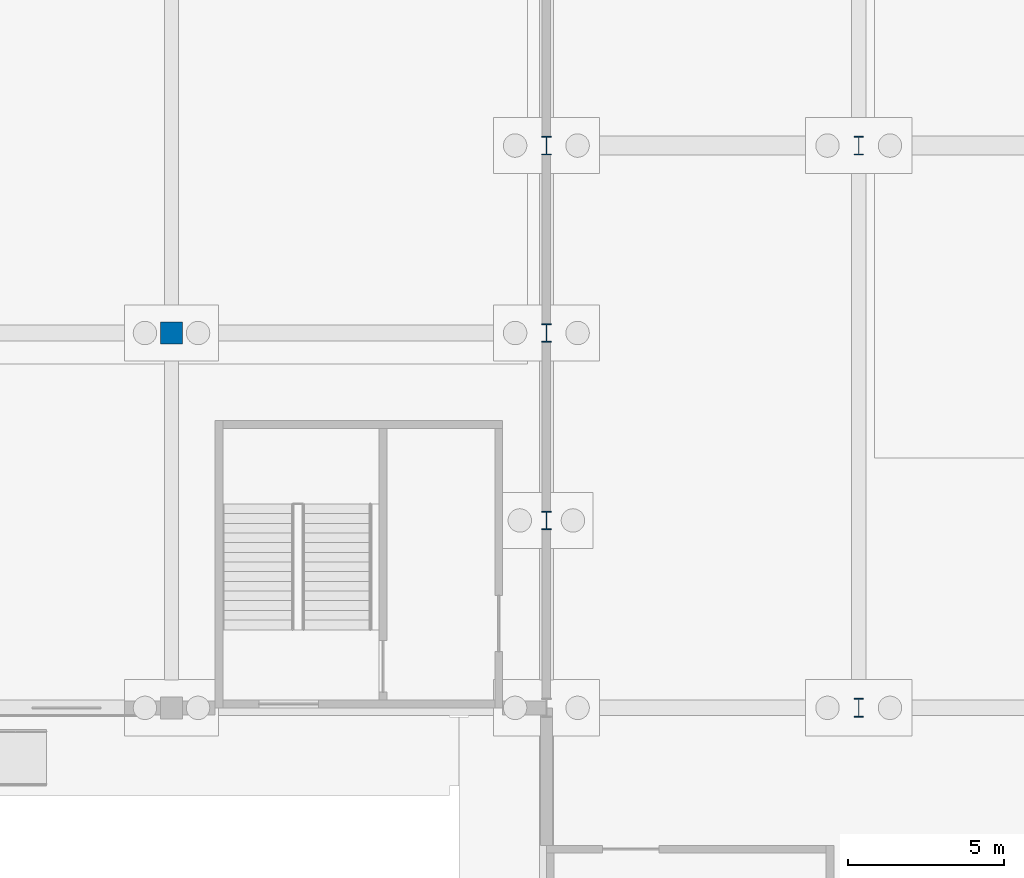
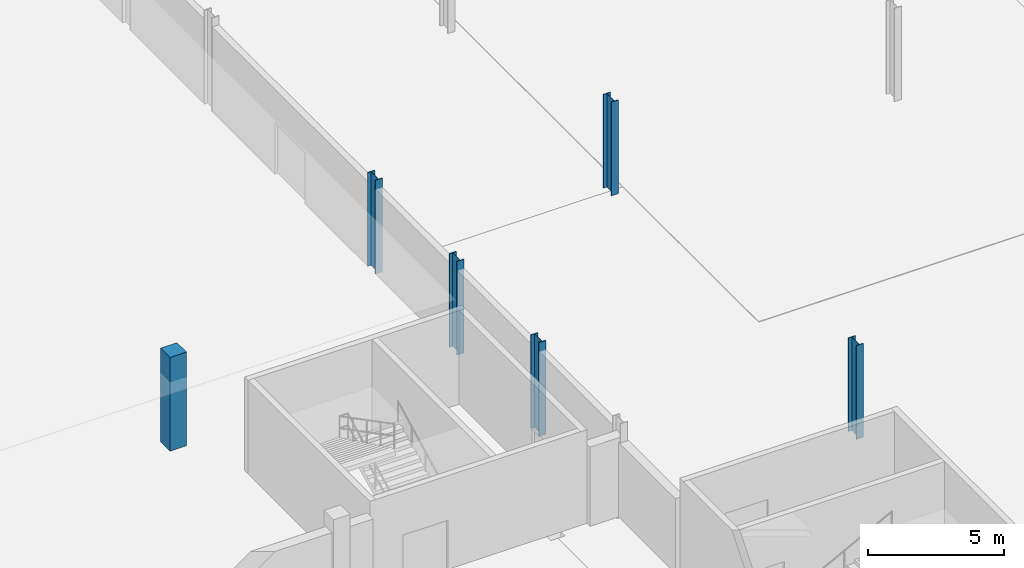
# One storey, part 12 of 77: 6 columns.
"""IFC4 building model written with IfcOpenShell, lengths in metres."""

from ifc_helpers import new_model, si_unit, direction, frame, origin, origin_2d, place, context, subcontext, project, spatial, rectangle, i_section, extrude, material, material_profile, profile_set, type_object, element, save


model = new_model("IFC4")

# Units and contexts
model_context = context("Model", 3, precision=1e-05, world=origin(), true_north=direction((0.0, 1.0)))
body_context = subcontext(model_context, "Body", "Model", "MODEL_VIEW")
ifc_project = project(units=[si_unit("LENGTHUNIT", "METRE"), si_unit("AREAUNIT", "SQUARE_METRE"), si_unit("VOLUMEUNIT", "CUBIC_METRE"), si_unit("PLANEANGLEUNIT", "RADIAN"), si_unit("MASSUNIT", "GRAM", prefix="KILO")], contexts=[model_context])

# Site, building, storey
site_placement = place(None, origin())
site = spatial("IfcSite", under=ifc_project, at=site_placement, CompositionType="ELEMENT")
building_placement = place(site_placement, origin())
building = spatial("IfcBuilding", under=site, at=building_placement, Name="Zilviju Railside Exhibition Hall", CompositionType="ELEMENT")
storey_placement = place(building_placement, origin())
storey = spatial("IfcBuildingStorey", under=building, at=storey_placement, Name="L01", CompositionType="ELEMENT", Elevation=0.0)

# Columns
ifc_material_1 = material(Name="Concrete C35/45", Category="concrete")
ifc_material_profile_1 = material_profile(ifc_material_1, rectangle(XDim=0.699951171875, YDim=0.699951171875, at=origin_2d()), Name="RC COL 700x700")
ifc_profile_set_1 = profile_set([ifc_material_profile_1], Name="Concrete C35/45")
column_type_1 = type_object("IfcColumnType", Name="COL-RC-700", PredefinedType="COLUMN", material=ifc_profile_set_1)
column_placement = place(storey_placement, frame((36.0, 48.0, 0.0), z_axis=(0.0, 0.0, 1.0), x_axis=(1.0, 0.0, 0.0)))
element("IfcColumn", 1, at=column_placement, inside=storey, type_object=column_type_1, Name="Structural Column L01 (36.0, 48.0)", PredefinedType="COLUMN", context=body_context, shape_type="SweptSolid", body=[
    extrude(rectangle(XDim=0.699951171875, YDim=0.699951171875, at=origin_2d()), origin(), (0.0, 0.0, 1.0), 4.199951171875),
])
ifc_material_2 = material(Name="Steel S355J2", Category="steel")
ifc_material_profile_2 = material_profile(ifc_material_2, i_section(OverallWidth=0.300048828125, OverallDepth=0.60009765625, WebThickness=0.015380859375, FlangeThickness=0.030029296875, at=origin_2d()), Name="HEB 600")
ifc_profile_set_2 = profile_set([ifc_material_profile_2], Name="Steel S355J2")
column_type_2 = type_object("IfcColumnType", Name="COL-ST-HEB600", PredefinedType="COLUMN", material=ifc_profile_set_2)
for number, where, z_axis, x_axis, name in (
    (2, (58.0, 36.0, 0.0), (0.0, 0.0, 1.0), (1.0, 0.0, 0.0), "Structural Column L01 (58.0, 36.0)"),
    (3, (48.0, 42.0, 0.0), (0.0, 0.0, 1.0), (1.0, 0.0, 0.0), "Structural Column L01 (48.0, 42.0)"),
    (4, (48.0, 48.0, 0.0), (0.0, 0.0, 1.0), (1.0, 0.0, 0.0), "Structural Column L01 (48.0, 48.0)"),
    (5, (48.0, 54.0, 0.0), (0.0, 0.0, 1.0), (1.0, 0.0, 0.0), "Structural Column L01 (48.0, 54.0)"),
    (6, (58.0, 54.0, 0.0), (0.0, 0.0, 1.0), (1.0, 0.0, 0.0), "Structural Column L01 (58.0, 54.0)"),
):
    element("IfcColumn", number, at=place(storey_placement, frame(where, z_axis=z_axis, x_axis=x_axis)), inside=storey, type_object=column_type_2, Name=name, PredefinedType="COLUMN", context=body_context, shape_type="SweptSolid", body=[
        extrude(i_section(OverallWidth=0.300048828125, OverallDepth=0.60009765625, WebThickness=0.015380859375, FlangeThickness=0.030029296875, at=origin_2d()), origin(), (0.0, 0.0, 1.0), 4.199951171875),
    ])

save(model, "model.ifc")
